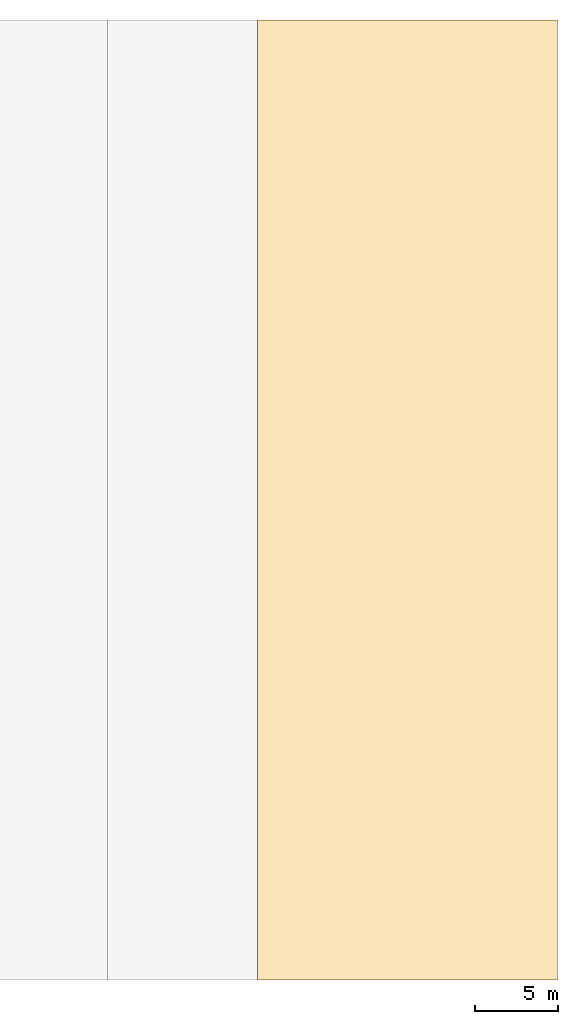
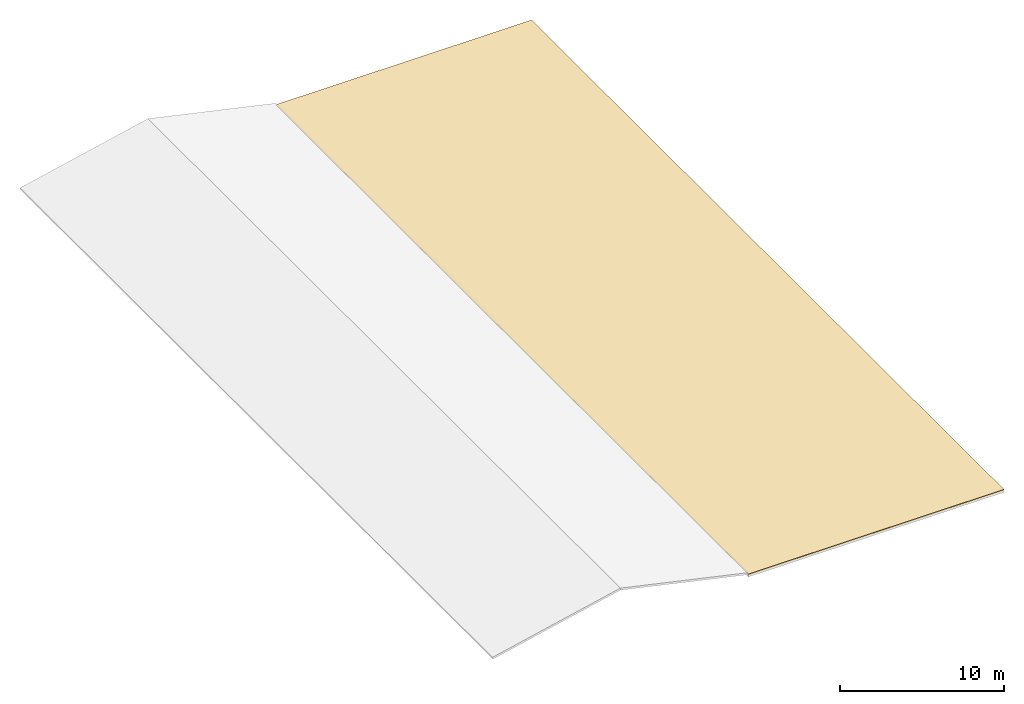
# One storey, part 2 of 2: 1 covering.
"""IFC4 building model written with IfcOpenShell, lengths in metres."""

from ifc_helpers import new_model, si_unit, direction, frame, origin, place, context, subcontext, project, spatial, polyline, outline, extrude, material, layer, layer_set, type_object, element, save


model = new_model("IFC4")

# Units and contexts
model_context = context("Model", 3, precision=1e-05, world=origin(), true_north=direction((0.0, 1.0)))
body_context = subcontext(model_context, "Body", "Model", "MODEL_VIEW")
ifc_project = project(units=[si_unit("LENGTHUNIT", "METRE"), si_unit("AREAUNIT", "SQUARE_METRE"), si_unit("VOLUMEUNIT", "CUBIC_METRE"), si_unit("PLANEANGLEUNIT", "RADIAN"), si_unit("MASSUNIT", "GRAM", prefix="KILO")], contexts=[model_context])

# Site, building, storey
site_placement = place(None, origin())
site = spatial("IfcSite", under=ifc_project, at=site_placement, CompositionType="ELEMENT")
building_placement = place(site_placement, origin())
building = spatial("IfcBuilding", under=site, at=building_placement, Name="Kemerveld Promenade Tramway Depot", CompositionType="ELEMENT")
storey_placement = place(building_placement, frame((0.0, 0.0, 23.39990234375)))
storey = spatial("IfcBuildingStorey", under=building, at=storey_placement, Name="Roof", CompositionType="ELEMENT", Elevation=23.39990234375)

# Covering
ifc_material = material(Name="Standing-seam zinc-aluminium roofing", Category="aluminium")
ifc_layer = layer(ifc_material, 0.0400390625)
ifc_layer_set = layer_set([ifc_layer], Name="COV-ROOF-ZINC")
covering_type = type_object("IfcCoveringType", Name="COV-ROOF-ZINC", PredefinedType="ROOFING", material=ifc_layer_set)
covering_placement = place(storey_placement, origin())
element("IfcCovering", 1, at=covering_placement, inside=storey, type_object=covering_type, Name="COV-RF-V5", PredefinedType="ROOFING", context=body_context, shape_type="SweptSolid", body=[
    extrude(outline(polyline([(18.0, 0.0), (36.0, 0.0), (36.0, 57.60009765625), (18.0, 57.60009765625), (18.0, 0.0)])), origin(), (0.0, 0.0, 1.0), 0.0400390625),
])

save(model, "model.ifc")
